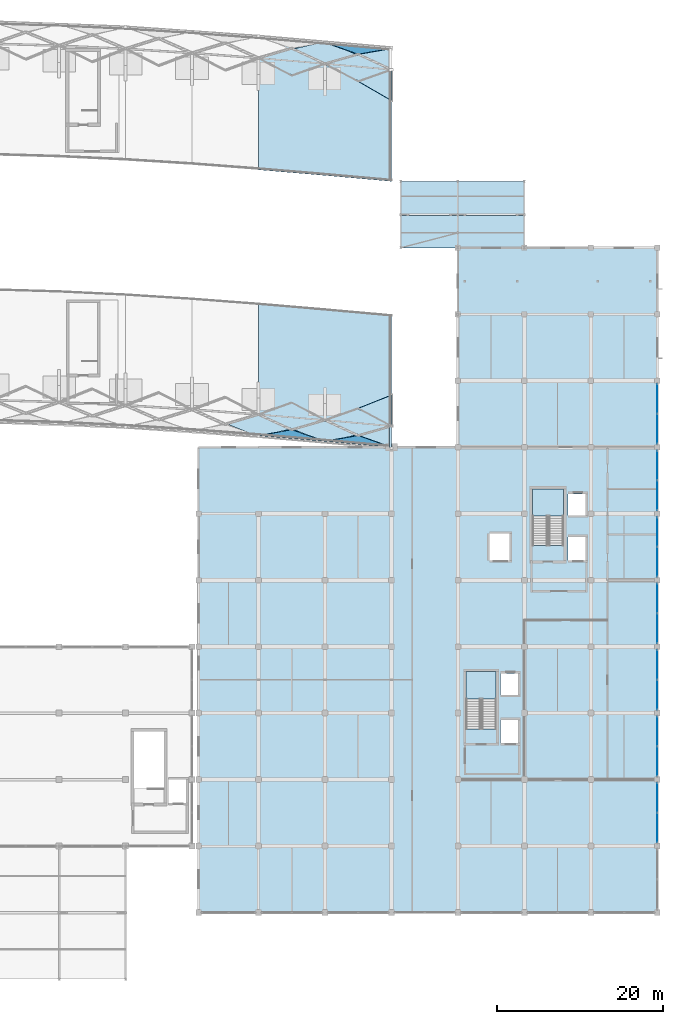
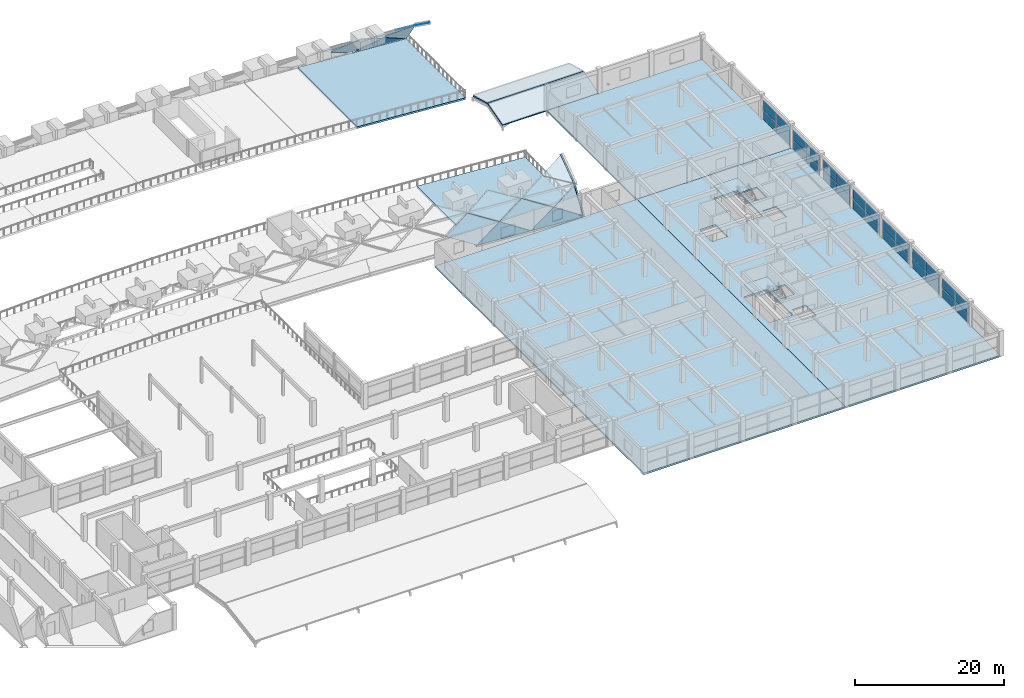
# One storey, part 38 of 67: 45 plates, 9 slabs, 9 elements without a shape of their own.
"""IFC4 building model written with IfcOpenShell, lengths in metres."""

from ifc_helpers import new_model, si_unit, direction, frame, origin, origin_2d, place, context, subcontext, project, spatial, polyline, rectangle, outline, extrude, material, layer, layer_set, type_object, element, aggregate, save


model = new_model("IFC4")

# Units and contexts
model_context = context("Model", 3, precision=1e-05, world=origin(), true_north=direction((0.0, 1.0)))
body_context = subcontext(model_context, "Body", "Model", "MODEL_VIEW")
ifc_project = project(units=[si_unit("LENGTHUNIT", "METRE"), si_unit("AREAUNIT", "SQUARE_METRE"), si_unit("VOLUMEUNIT", "CUBIC_METRE"), si_unit("PLANEANGLEUNIT", "RADIAN"), si_unit("MASSUNIT", "GRAM", prefix="KILO")], contexts=[model_context])

# Site, building, storey
site_placement = place(None, origin())
site = spatial("IfcSite", under=ifc_project, at=site_placement, CompositionType="ELEMENT")
building_placement = place(site_placement, origin())
building = spatial("IfcBuilding", under=site, at=building_placement, Name="Kenh Van Central Station", CompositionType="ELEMENT")
storey_placement = place(building_placement, frame((0.0, 0.0, 10.800048828125)))
storey = spatial("IfcBuildingStorey", under=building, at=storey_placement, Name="L02", CompositionType="ELEMENT", Elevation=10.800048828125)

# Curtain wall, plates
ifc_material_1 = material(Name="Champagne anodised aluminium", Category="aluminium")
curtain_wall_type = type_object("IfcCurtainWallType", Name="CW-OPER-A", PredefinedType="NOTDEFINED", material=ifc_material_1)
curtain_wall_1_placement = place(storey_placement, origin())
curtain_wall_1 = element("IfcCurtainWall", 1, at=curtain_wall_1_placement, inside=storey, type_object=curtain_wall_type, Name="L02 curtain wall 190", PredefinedType="NOTDEFINED")
ifc_material_2 = material(Name="Double-glazed low-E laminated solar glass", Category="glass")
ifc_layer_1 = layer(ifc_material_2, 0.0380859375, Name="Double-glazed low-E laminated solar glass")
ifc_layer_set_1 = layer_set([ifc_layer_1], Name="Double-glazed low-E laminated solar glass")
plate_type_1 = type_object("IfcPlateType", Name="CWP-IGU-38", PredefinedType="CURTAIN_PANEL", material=ifc_layer_set_1)
plate_1_placement = place(storey_placement, frame((176.0, 18.197021484375, 0.07177734375), z_axis=(0.0, 0.0, 1.0), x_axis=(0.0, 1.0, 0.0)))
plate_1 = element("IfcPlate", 2, at=plate_1_placement, type_object=plate_type_1, Name="CW-07 panel 1.1", PredefinedType="CURTAIN_PANEL", context=body_context, shape_type="SweptSolid", body=[
    extrude(rectangle(XDim=3.51806640625, YDim=0.0380859375, at=origin_2d()), origin(), (0.0, 0.0, 1.0), 1.490478515625),
])
plate_2_placement = place(storey_placement, frame((176.0, 18.197021484375, 1.63427734375), z_axis=(0.0, 0.0, 1.0), x_axis=(0.0, 1.0, 0.0)))
plate_2 = element("IfcPlate", 3, at=plate_2_placement, type_object=plate_type_1, Name="CW-07 panel 1.2", PredefinedType="CURTAIN_PANEL", context=body_context, shape_type="SweptSolid", body=[
    extrude(rectangle(XDim=3.51806640625, YDim=0.0380859375, at=origin_2d()), origin(), (0.0, 0.0, 1.0), 1.62353515625),
])
plate_3_placement = place(storey_placement, frame((176.0, 21.802978515625, 0.07177734375), z_axis=(0.0, 0.0, 1.0), x_axis=(0.0, 1.0, 0.0)))
plate_3 = element("IfcPlate", 4, at=plate_3_placement, type_object=plate_type_1, Name="CW-07 panel 2.1", PredefinedType="CURTAIN_PANEL", context=body_context, shape_type="SweptSolid", body=[
    extrude(rectangle(XDim=3.51806640625, YDim=0.0380859375, at=origin_2d()), origin(), (0.0, 0.0, 1.0), 1.490478515625),
])
plate_4_placement = place(storey_placement, frame((176.0, 21.802978515625, 1.63427734375), z_axis=(0.0, 0.0, 1.0), x_axis=(0.0, 1.0, 0.0)))
plate_4 = element("IfcPlate", 5, at=plate_4_placement, type_object=plate_type_1, Name="CW-07 panel 2.2", PredefinedType="CURTAIN_PANEL", context=body_context, shape_type="SweptSolid", body=[
    extrude(rectangle(XDim=3.51806640625, YDim=0.0380859375, at=origin_2d()), origin(), (0.0, 0.0, 1.0), 1.62353515625),
])
aggregate(curtain_wall_1, [plate_1, plate_2, plate_3, plate_4])

curtain_wall_2_placement = place(storey_placement, origin())
curtain_wall_2 = element("IfcCurtainWall", 6, at=curtain_wall_2_placement, inside=storey, type_object=curtain_wall_type, Name="L02 curtain wall 191", PredefinedType="NOTDEFINED")
plate_5_placement = place(storey_placement, frame((176.0, 26.197021484375, 0.07177734375), z_axis=(0.0, 0.0, 1.0), x_axis=(0.0, 1.0, 0.0)))
plate_5 = element("IfcPlate", 7, at=plate_5_placement, type_object=plate_type_1, Name="CW-07 panel 1.1", PredefinedType="CURTAIN_PANEL", context=body_context, shape_type="SweptSolid", body=[
    extrude(rectangle(XDim=3.51806640625, YDim=0.0380859375, at=origin_2d()), origin(), (0.0, 0.0, 1.0), 1.490478515625),
])
plate_6_placement = place(storey_placement, frame((176.0, 26.197021484375, 1.63427734375), z_axis=(0.0, 0.0, 1.0), x_axis=(0.0, 1.0, 0.0)))
plate_6 = element("IfcPlate", 8, at=plate_6_placement, type_object=plate_type_1, Name="CW-07 panel 1.2", PredefinedType="CURTAIN_PANEL", context=body_context, shape_type="SweptSolid", body=[
    extrude(rectangle(XDim=3.51806640625, YDim=0.0380859375, at=origin_2d()), origin(), (0.0, 0.0, 1.0), 1.62353515625),
])
plate_7_placement = place(storey_placement, frame((176.0, 29.802978515625, 0.07177734375), z_axis=(0.0, 0.0, 1.0), x_axis=(0.0, 1.0, 0.0)))
plate_7 = element("IfcPlate", 9, at=plate_7_placement, type_object=plate_type_1, Name="CW-07 panel 2.1", PredefinedType="CURTAIN_PANEL", context=body_context, shape_type="SweptSolid", body=[
    extrude(rectangle(XDim=3.51806640625, YDim=0.0380859375, at=origin_2d()), origin(), (0.0, 0.0, 1.0), 1.490478515625),
])
plate_8_placement = place(storey_placement, frame((176.0, 29.802978515625, 1.63427734375), z_axis=(0.0, 0.0, 1.0), x_axis=(0.0, 1.0, 0.0)))
plate_8 = element("IfcPlate", 10, at=plate_8_placement, type_object=plate_type_1, Name="CW-07 panel 2.2", PredefinedType="CURTAIN_PANEL", context=body_context, shape_type="SweptSolid", body=[
    extrude(rectangle(XDim=3.51806640625, YDim=0.0380859375, at=origin_2d()), origin(), (0.0, 0.0, 1.0), 1.62353515625),
])
aggregate(curtain_wall_2, [plate_5, plate_6, plate_7, plate_8])

curtain_wall_3_placement = place(storey_placement, origin())
curtain_wall_3 = element("IfcCurtainWall", 11, at=curtain_wall_3_placement, inside=storey, type_object=curtain_wall_type, Name="L02 curtain wall 192", PredefinedType="NOTDEFINED")
plate_9_placement = place(storey_placement, frame((176.0, 34.197021484375, 0.07177734375), z_axis=(0.0, 0.0, 1.0), x_axis=(0.0, 1.0, 0.0)))
plate_9 = element("IfcPlate", 12, at=plate_9_placement, type_object=plate_type_1, Name="CW-07 panel 1.1", PredefinedType="CURTAIN_PANEL", context=body_context, shape_type="SweptSolid", body=[
    extrude(rectangle(XDim=3.51806640625, YDim=0.0380859375, at=origin_2d()), origin(), (0.0, 0.0, 1.0), 1.490478515625),
])
plate_10_placement = place(storey_placement, frame((176.0, 34.197021484375, 1.63427734375), z_axis=(0.0, 0.0, 1.0), x_axis=(0.0, 1.0, 0.0)))
plate_10 = element("IfcPlate", 13, at=plate_10_placement, type_object=plate_type_1, Name="CW-07 panel 1.2", PredefinedType="CURTAIN_PANEL", context=body_context, shape_type="SweptSolid", body=[
    extrude(rectangle(XDim=3.51806640625, YDim=0.0380859375, at=origin_2d()), origin(), (0.0, 0.0, 1.0), 1.62353515625),
])
plate_11_placement = place(storey_placement, frame((176.0, 37.802978515625, 0.07177734375), z_axis=(0.0, 0.0, 1.0), x_axis=(0.0, 1.0, 0.0)))
plate_11 = element("IfcPlate", 14, at=plate_11_placement, type_object=plate_type_1, Name="CW-07 panel 2.1", PredefinedType="CURTAIN_PANEL", context=body_context, shape_type="SweptSolid", body=[
    extrude(rectangle(XDim=3.51806640625, YDim=0.0380859375, at=origin_2d()), origin(), (0.0, 0.0, 1.0), 1.490478515625),
])
plate_12_placement = place(storey_placement, frame((176.0, 37.802978515625, 1.63427734375), z_axis=(0.0, 0.0, 1.0), x_axis=(0.0, 1.0, 0.0)))
plate_12 = element("IfcPlate", 15, at=plate_12_placement, type_object=plate_type_1, Name="CW-07 panel 2.2", PredefinedType="CURTAIN_PANEL", context=body_context, shape_type="SweptSolid", body=[
    extrude(rectangle(XDim=3.51806640625, YDim=0.0380859375, at=origin_2d()), origin(), (0.0, 0.0, 1.0), 1.62353515625),
])
aggregate(curtain_wall_3, [plate_9, plate_10, plate_11, plate_12])

curtain_wall_4_placement = place(storey_placement, origin())
curtain_wall_4 = element("IfcCurtainWall", 16, at=curtain_wall_4_placement, inside=storey, type_object=curtain_wall_type, Name="L02 curtain wall 193", PredefinedType="NOTDEFINED")
plate_13_placement = place(storey_placement, frame((176.0, 42.197021484375, 0.07177734375), z_axis=(0.0, 0.0, 1.0), x_axis=(0.0, 1.0, 0.0)))
plate_13 = element("IfcPlate", 17, at=plate_13_placement, type_object=plate_type_1, Name="CW-07 panel 1.1", PredefinedType="CURTAIN_PANEL", context=body_context, shape_type="SweptSolid", body=[
    extrude(rectangle(XDim=3.51806640625, YDim=0.0380859375, at=origin_2d()), origin(), (0.0, 0.0, 1.0), 1.490478515625),
])
plate_14_placement = place(storey_placement, frame((176.0, 42.197021484375, 1.63427734375), z_axis=(0.0, 0.0, 1.0), x_axis=(0.0, 1.0, 0.0)))
plate_14 = element("IfcPlate", 18, at=plate_14_placement, type_object=plate_type_1, Name="CW-07 panel 1.2", PredefinedType="CURTAIN_PANEL", context=body_context, shape_type="SweptSolid", body=[
    extrude(rectangle(XDim=3.51806640625, YDim=0.0380859375, at=origin_2d()), origin(), (0.0, 0.0, 1.0), 1.62353515625),
])
plate_15_placement = place(storey_placement, frame((176.0, 45.802978515625, 0.07177734375), z_axis=(0.0, 0.0, 1.0), x_axis=(0.0, 1.0, 0.0)))
plate_15 = element("IfcPlate", 19, at=plate_15_placement, type_object=plate_type_1, Name="CW-07 panel 2.1", PredefinedType="CURTAIN_PANEL", context=body_context, shape_type="SweptSolid", body=[
    extrude(rectangle(XDim=3.51806640625, YDim=0.0380859375, at=origin_2d()), origin(), (0.0, 0.0, 1.0), 1.490478515625),
])
plate_16_placement = place(storey_placement, frame((176.0, 45.802978515625, 1.63427734375), z_axis=(0.0, 0.0, 1.0), x_axis=(0.0, 1.0, 0.0)))
plate_16 = element("IfcPlate", 20, at=plate_16_placement, type_object=plate_type_1, Name="CW-07 panel 2.2", PredefinedType="CURTAIN_PANEL", context=body_context, shape_type="SweptSolid", body=[
    extrude(rectangle(XDim=3.51806640625, YDim=0.0380859375, at=origin_2d()), origin(), (0.0, 0.0, 1.0), 1.62353515625),
])
aggregate(curtain_wall_4, [plate_13, plate_14, plate_15, plate_16])

curtain_wall_5_placement = place(storey_placement, origin())
curtain_wall_5 = element("IfcCurtainWall", 21, at=curtain_wall_5_placement, inside=storey, type_object=curtain_wall_type, Name="L02 curtain wall 194", PredefinedType="NOTDEFINED")
plate_17_placement = place(storey_placement, frame((176.0, 50.197021484375, 0.07177734375), z_axis=(0.0, 0.0, 1.0), x_axis=(0.0, 1.0, 0.0)))
plate_17 = element("IfcPlate", 22, at=plate_17_placement, type_object=plate_type_1, Name="CW-07 panel 1.1", PredefinedType="CURTAIN_PANEL", context=body_context, shape_type="SweptSolid", body=[
    extrude(rectangle(XDim=3.51806640625, YDim=0.0380859375, at=origin_2d()), origin(), (0.0, 0.0, 1.0), 1.490478515625),
])
plate_18_placement = place(storey_placement, frame((176.0, 50.197021484375, 1.63427734375), z_axis=(0.0, 0.0, 1.0), x_axis=(0.0, 1.0, 0.0)))
plate_18 = element("IfcPlate", 23, at=plate_18_placement, type_object=plate_type_1, Name="CW-07 panel 1.2", PredefinedType="CURTAIN_PANEL", context=body_context, shape_type="SweptSolid", body=[
    extrude(rectangle(XDim=3.51806640625, YDim=0.0380859375, at=origin_2d()), origin(), (0.0, 0.0, 1.0), 1.62353515625),
])
plate_19_placement = place(storey_placement, frame((176.0, 53.802978515625, 0.07177734375), z_axis=(0.0, 0.0, 1.0), x_axis=(0.0, 1.0, 0.0)))
plate_19 = element("IfcPlate", 24, at=plate_19_placement, type_object=plate_type_1, Name="CW-07 panel 2.1", PredefinedType="CURTAIN_PANEL", context=body_context, shape_type="SweptSolid", body=[
    extrude(rectangle(XDim=3.51806640625, YDim=0.0380859375, at=origin_2d()), origin(), (0.0, 0.0, 1.0), 1.490478515625),
])
plate_20_placement = place(storey_placement, frame((176.0, 53.802978515625, 1.63427734375), z_axis=(0.0, 0.0, 1.0), x_axis=(0.0, 1.0, 0.0)))
plate_20 = element("IfcPlate", 25, at=plate_20_placement, type_object=plate_type_1, Name="CW-07 panel 2.2", PredefinedType="CURTAIN_PANEL", context=body_context, shape_type="SweptSolid", body=[
    extrude(rectangle(XDim=3.51806640625, YDim=0.0380859375, at=origin_2d()), origin(), (0.0, 0.0, 1.0), 1.62353515625),
])
aggregate(curtain_wall_5, [plate_17, plate_18, plate_19, plate_20])

curtain_wall_6_placement = place(storey_placement, origin())
curtain_wall_6 = element("IfcCurtainWall", 26, at=curtain_wall_6_placement, inside=storey, type_object=curtain_wall_type, Name="L02 curtain wall 195", PredefinedType="NOTDEFINED")
plate_21_placement = place(storey_placement, frame((176.0, 58.197021484375, 0.07177734375), z_axis=(0.0, 0.0, 1.0), x_axis=(0.0, 1.0, 0.0)))
plate_21 = element("IfcPlate", 27, at=plate_21_placement, type_object=plate_type_1, Name="CW-07 panel 1.1", PredefinedType="CURTAIN_PANEL", context=body_context, shape_type="SweptSolid", body=[
    extrude(rectangle(XDim=3.51806640625, YDim=0.0380859375, at=origin_2d()), origin(), (0.0, 0.0, 1.0), 1.490478515625),
])
plate_22_placement = place(storey_placement, frame((176.0, 58.197021484375, 1.63427734375), z_axis=(0.0, 0.0, 1.0), x_axis=(0.0, 1.0, 0.0)))
plate_22 = element("IfcPlate", 28, at=plate_22_placement, type_object=plate_type_1, Name="CW-07 panel 1.2", PredefinedType="CURTAIN_PANEL", context=body_context, shape_type="SweptSolid", body=[
    extrude(rectangle(XDim=3.51806640625, YDim=0.0380859375, at=origin_2d()), origin(), (0.0, 0.0, 1.0), 1.62353515625),
])
plate_23_placement = place(storey_placement, frame((176.0, 61.802978515625, 0.07177734375), z_axis=(0.0, 0.0, 1.0), x_axis=(0.0, 1.0, 0.0)))
plate_23 = element("IfcPlate", 29, at=plate_23_placement, type_object=plate_type_1, Name="CW-07 panel 2.1", PredefinedType="CURTAIN_PANEL", context=body_context, shape_type="SweptSolid", body=[
    extrude(rectangle(XDim=3.51806640625, YDim=0.0380859375, at=origin_2d()), origin(), (0.0, 0.0, 1.0), 1.490478515625),
])
plate_24_placement = place(storey_placement, frame((176.0, 61.802978515625, 1.63427734375), z_axis=(0.0, 0.0, 1.0), x_axis=(0.0, 1.0, 0.0)))
plate_24 = element("IfcPlate", 30, at=plate_24_placement, type_object=plate_type_1, Name="CW-07 panel 2.2", PredefinedType="CURTAIN_PANEL", context=body_context, shape_type="SweptSolid", body=[
    extrude(rectangle(XDim=3.51806640625, YDim=0.0380859375, at=origin_2d()), origin(), (0.0, 0.0, 1.0), 1.62353515625),
])
aggregate(curtain_wall_6, [plate_21, plate_22, plate_23, plate_24])

curtain_wall_7_placement = place(storey_placement, origin())
curtain_wall_7 = element("IfcCurtainWall", 31, at=curtain_wall_7_placement, inside=storey, type_object=curtain_wall_type, Name="L02 curtain wall 196", PredefinedType="NOTDEFINED")
plate_25_placement = place(storey_placement, frame((176.0, 66.203369140625, 0.07177734375), z_axis=(0.0, 0.0, 1.0), x_axis=(0.0, 1.0, 0.0)))
plate_25 = element("IfcPlate", 32, at=plate_25_placement, type_object=plate_type_1, Name="CW-07 panel 1.1", PredefinedType="CURTAIN_PANEL", context=body_context, shape_type="SweptSolid", body=[
    extrude(rectangle(XDim=3.530517578125, YDim=0.0380859375, at=origin_2d()), origin(), (0.0, 0.0, 1.0), 1.490478515625),
])
plate_26_placement = place(storey_placement, frame((176.0, 66.203369140625, 1.63427734375), z_axis=(0.0, 0.0, 1.0), x_axis=(0.0, 1.0, 0.0)))
plate_26 = element("IfcPlate", 33, at=plate_26_placement, type_object=plate_type_1, Name="CW-07 panel 1.2", PredefinedType="CURTAIN_PANEL", context=body_context, shape_type="SweptSolid", body=[
    extrude(rectangle(XDim=3.530517578125, YDim=0.0380859375, at=origin_2d()), origin(), (0.0, 0.0, 1.0), 1.62353515625),
])
plate_27_placement = place(storey_placement, frame((176.0, 69.82177734375, 0.07177734375), z_axis=(0.0, 0.0, 1.0), x_axis=(0.0, 1.0, 0.0)))
plate_27 = element("IfcPlate", 34, at=plate_27_placement, type_object=plate_type_1, Name="CW-07 panel 2.1", PredefinedType="CURTAIN_PANEL", context=body_context, shape_type="SweptSolid", body=[
    extrude(rectangle(XDim=3.530517578125, YDim=0.0380859375, at=origin_2d()), origin(), (0.0, 0.0, 1.0), 1.490478515625),
])
plate_28_placement = place(storey_placement, frame((176.0, 69.82177734375, 1.63427734375), z_axis=(0.0, 0.0, 1.0), x_axis=(0.0, 1.0, 0.0)))
plate_28 = element("IfcPlate", 35, at=plate_28_placement, type_object=plate_type_1, Name="CW-07 panel 2.2", PredefinedType="CURTAIN_PANEL", context=body_context, shape_type="SweptSolid", body=[
    extrude(rectangle(XDim=3.530517578125, YDim=0.0380859375, at=origin_2d()), origin(), (0.0, 0.0, 1.0), 1.62353515625),
])
aggregate(curtain_wall_7, [plate_25, plate_26, plate_27, plate_28])

# Plates
ifc_material_3 = material(Name="White fluoropolymer structural steel S355", Category="steel")
ifc_layer_2 = layer(ifc_material_3, 0.010009765625, Name="White fluoropolymer structural steel S355")
ifc_layer_set_2 = layer_set([ifc_layer_2], Name="White fluoropolymer structural steel S355")
plate_type_2 = type_object("IfcPlateType", Name="PLT-FASCIA-SH2", PredefinedType="SHEET", material=ifc_layer_set_2)
plate_29_placement = place(storey_placement, frame((144.0, 64.0, 0.0), z_axis=(0.0, -0.827486468336, 0.561485658518), x_axis=(-1.0, 0.0, 0.0)))
element("IfcPlate", 36, at=plate_29_placement, inside=storey, type_object=plate_type_2, Name="Vault portal arch trim plate 13", PredefinedType="SHEET", context=body_context, shape_type="SweptSolid", body=[
    extrude(outline(polyline([(0.0, 0.0), (0.260009765625, 0.0), (0.260009765625, -4.54595802341831), (0.0, -4.54595802341831), (0.0, 0.0)])), origin(), (0.0, 0.0, -1.0), 0.010009765625),
])
ifc_layer_3 = layer(ifc_material_3, 0.011962890625, Name="White fluoropolymer structural steel S355")
ifc_layer_set_3 = layer_set([ifc_layer_3], Name="White fluoropolymer structural steel S355")
plate_type_3 = type_object("IfcPlateType", Name="PLT-FASCIA-SH3", PredefinedType="SHEET", material=ifc_layer_set_3)
for number, where, z_axis, x_axis, name in (
    (37, (144.0, 66.552490234375, 3.76171875), (0.0, -0.58293315188, 0.812520116944), (-1.0, 0.0, 0.0), "Vault portal arch trim plate 14"),
    (38, (144.0, 105.73046875, 6.428466796875), (0.0, 0.58293315188, 0.812520116944), (-1.0, 0.0, 0.0), "Vault portal arch trim plate 23"),
):
    element("IfcPlate", number, at=place(storey_placement, frame(where, z_axis=z_axis, x_axis=x_axis)), inside=storey, type_object=plate_type_3, Name=name, PredefinedType="SHEET", context=body_context, shape_type="SweptSolid", body=[
        extrude(outline(polyline([(0.0, 0.0), (0.260009765625, 0.0), (0.260009765625, -4.574706444937222), (0.0, -4.574706444937222), (0.0, 0.0)])), origin(), (0.0, 0.0, -1.0), 0.011962890625),
    ])
ifc_layer_4 = layer(ifc_material_2, 0.02490234375, Name="Double-glazed low-E laminated solar glass")
ifc_layer_set_4 = layer_set([ifc_layer_4], Name="Double-glazed low-E laminated solar glass")
plate_type_4 = type_object("IfcPlateType", Name="PLT-VAULT-GLZ2", PredefinedType="SHEET", material=ifc_layer_set_4)
plate_30_placement = place(storey_placement, frame((124.02099609375, 66.869873046875, 1.9521484375), z_axis=(-0.066763144029, -0.825557139945, 0.560355325919), x_axis=(0.851027051408, -0.340289602676, -0.399944926311)))
element("IfcPlate", 39, at=plate_30_placement, inside=storey, type_object=plate_type_4, Name="Vault planar diamond skylight pane 216", PredefinedType="SHEET", context=body_context, shape_type="SweptSolid", body=[
    extrude(outline(polyline([(0.0, 0.0), (4.664915284770098, 2.220446049250313e-16), (7.0068892787584725, 3.8648005960070413), (2.3043565829263795, 3.856885646130145), (0.0, 0.0)])), origin(), (0.0, 0.0, -1.0), 0.02490234375),
])
plate_31_placement = place(storey_placement, frame((132.002685546875, 111.89306640625, 1.955810546875), z_axis=(0.072217389507, 0.825393790341, 0.559919404486), x_axis=(0.850976173617, -0.343796596055, 0.397043388658)))
element("IfcPlate", 40, at=plate_31_placement, inside=storey, type_object=plate_type_4, Name="Vault planar diamond skylight pane 243", PredefinedType="SHEET", context=body_context, shape_type="SweptSolid", body=[
    extrude(outline(polyline([(0.0, 0.0), (4.70822818457736, -2.220446049250313e-16), (7.02684897559647, 3.837157674743521), (2.3496642033432718, 3.858173440332048), (0.0, 0.0)])), origin(), (0.0, 0.0, -1.0), 0.02490234375),
])
plate_32_placement = place(storey_placement, frame((136.005859375, 110.09130859375, 3.692626953125), z_axis=(0.062080915883, 0.696724699203, 0.714647223043), x_axis=(0.844558377569, -0.418228742505, 0.334373841413)))
element("IfcPlate", 41, at=plate_32_placement, inside=storey, type_object=plate_type_4, Name="Vault planar diamond skylight pane 253", PredefinedType="SHEET", context=body_context, shape_type="SweptSolid", body=[
    extrude(outline(polyline([(0.0, 0.0), (4.736494175389192, -2.220446049250313e-16), (7.033308950687296, 3.8281932160247005), (2.316699168165327, 3.8425278719561926), (0.0, 0.0)])), origin(), (0.0, 0.0, -1.0), 0.02490234375),
])
plate_33_placement = place(storey_placement, frame((143.994140625, 64.005859375, 0.008544921875), z_axis=(-0.007713839822, -0.82749167025, 0.561425001529), x_axis=(-5.3948501e-05, 0.561442049166, 0.827516055746)))
element("IfcPlate", 42, at=plate_33_placement, inside=storey, type_object=plate_type_4, Name="Vault border triangle skylight pane 255", PredefinedType="SHEET", context=body_context, shape_type="SweptSolid", body=[
    extrude(outline(polyline([(0.0, 0.0), (4.525438534841527, 0.0), (2.4618246329661577, 3.982163406165373), (0.0, 0.0)])), origin(), (0.0, 0.0, -1.0), 0.02490234375),
])
ifc_layer_5 = layer(ifc_material_2, 0.027099609375, Name="Double-glazed low-E laminated solar glass")
ifc_layer_set_5 = layer_set([ifc_layer_5], Name="Double-glazed low-E laminated solar glass")
plate_type_5 = type_object("IfcPlateType", Name="PLT-VAULT-GLZ3", PredefinedType="SHEET", material=ifc_layer_set_5)
plate_34_placement = place(storey_placement, frame((128.01171875, 65.388427734375, 0.001953125), z_axis=(-0.074682622097, -0.883428902659, 0.462575269447), x_axis=(0.996445768394, -0.08423675356, 0.0)))
element("IfcPlate", 43, at=plate_34_placement, inside=storey, type_object=plate_type_5, Name="Vault border triangle skylight pane 298", PredefinedType="SHEET", context=body_context, shape_type="SweptSolid", body=[
    extrude(outline(polyline([(0.0, 0.0), (8.005014174387462, 0.0), (3.9135813737190577, 2.2740342110816334), (0.0, 0.0)])), origin(), (0.0, 0.0, -1.0), 0.027099609375),
])
ifc_layer_6 = layer(ifc_material_2, 0.029052734375, Name="Double-glazed low-E laminated solar glass")
ifc_layer_set_6 = layer_set([ifc_layer_6], Name="Double-glazed low-E laminated solar glass")
plate_type_6 = type_object("IfcPlateType", Name="PLT-VAULT-GLZ4", PredefinedType="SHEET", material=ifc_layer_set_6)
plate_35_placement = place(storey_placement, frame((128.017822265625, 68.009765625, 3.68994140625), z_axis=(-0.058995640367, -0.696800977719, 0.714834184876), x_axis=(0.844927074076, -0.416200786123, -0.335968964525)))
element("IfcPlate", 44, at=plate_35_placement, inside=storey, type_object=plate_type_6, Name="Vault planar diamond skylight pane 226", PredefinedType="SHEET", context=body_context, shape_type="SweptSolid", body=[
    extrude(outline(polyline([(0.0, 0.0), (4.706113568555715, -1.1102230246251565e-16), (7.019891246331294, 3.84632921593826), (2.287836386718679, 3.8434884845234087), (0.0, 0.0)])), origin(), (0.0, 0.0, -1.0), 0.029052734375),
])
plate_36_placement = place(storey_placement, frame((132.021728515625, 66.22265625, 1.953125), z_axis=(-0.07222475454, -0.825307172716, 0.560046119079), x_axis=(0.849072324023, -0.345494581861, -0.399636938336)))
element("IfcPlate", 45, at=plate_36_placement, inside=storey, type_object=plate_type_6, Name="Vault planar diamond skylight pane 236", PredefinedType="SHEET", context=body_context, shape_type="SweptSolid", body=[
    extrude(outline(polyline([(0.0, 0.0), (4.673924318025916, 4.440892098500626e-16), (7.01295701547588, 3.8629929137496615), (2.3015780543594677, 3.8495616227530505), (0.0, 0.0)])), origin(), (0.0, 0.0, -1.0), 0.029052734375),
])
plate_37_placement = place(storey_placement, frame((143.994140625, 66.56103515625, 3.767822265625), z_axis=(-0.015140538407, -0.582885461561, 0.81241325863), x_axis=(-0.000107219231, 0.812507333563, 0.582950959696)))
element("IfcPlate", 46, at=plate_37_placement, inside=storey, type_object=plate_type_6, Name="Vault border triangle skylight pane 257", PredefinedType="SHEET", context=body_context, shape_type="SweptSolid", body=[
    extrude(outline(polyline([(0.0, 0.0), (4.554045433997216, -6.938893903907228e-18), (2.567119346016719, 3.982358988697246), (0.0, 0.0)])), origin(), (0.0, 0.0, -1.0), 0.029052734375),
])
plate_38_placement = place(storey_placement, frame((143.994140625, 105.7392578125, 6.4228515625), z_axis=(0.088951634368, 0.580587320099, 0.80932439138), x_axis=(-0.000107217911, 0.812550941304, -0.582890175153)))
element("IfcPlate", 47, at=plate_38_placement, inside=storey, type_object=plate_type_6, Name="Vault border triangle skylight pane 275", PredefinedType="SHEET", context=body_context, shape_type="SweptSolid", body=[
    extrude(outline(polyline([(0.0, 0.0), (4.554101490777081, 2.7755575615628914e-17), (2.5681695852995854, 3.9977496972992066), (0.0, 0.0)])), origin(), (0.0, 0.0, -1.0), 0.029052734375),
])
ifc_layer_7 = layer(ifc_material_2, 0.031005859375, Name="Double-glazed low-E laminated solar glass")
ifc_layer_set_7 = layer_set([ifc_layer_7], Name="Double-glazed low-E laminated solar glass")
plate_type_7 = type_object("IfcPlateType", Name="PLT-VAULT-GLZ5", PredefinedType="SHEET", material=ifc_layer_set_7)
plate_39_placement = place(storey_placement, frame((136.01171875, 64.712158203125, 0.001953125), z_axis=(-0.078705331984, -0.883967207482, 0.460876823906), x_axis=(0.9960596646, -0.08868565023, 0.0)))
element("IfcPlate", 48, at=plate_39_placement, inside=storey, type_object=plate_type_7, Name="Vault border triangle skylight pane 300", PredefinedType="SHEET", context=body_context, shape_type="SweptSolid", body=[
    extrude(outline(polyline([(0.0, 0.0), (8.008117167561974, 0.0), (3.9108368877199027, 2.2717687960819193), (0.0, 0.0)])), origin(), (0.0, 0.0, -1.0), 0.031005859375),
])
ifc_layer_8 = layer(ifc_material_2, 0.034912109375, Name="Double-glazed low-E laminated solar glass")
ifc_layer_set_8 = layer_set([ifc_layer_8], Name="Double-glazed low-E laminated solar glass")
plate_type_8 = type_object("IfcPlateType", Name="PLT-VAULT-GLZ6", PredefinedType="SHEET", material=ifc_layer_set_8)
plate_40_placement = place(storey_placement, frame((128.00634765625, 110.7685546875, 3.69384765625), z_axis=(0.058985798948, 0.696936897091, 0.714702481453), x_axis=(0.84615753036, -0.414776385436, 0.334631116157)))
element("IfcPlate", 49, at=plate_40_placement, inside=storey, type_object=plate_type_8, Name="Vault planar diamond skylight pane 235", PredefinedType="SHEET", context=body_context, shape_type="SweptSolid", body=[
    extrude(outline(polyline([(0.0, 0.0), (4.726391906820278, 8.881784197001252e-16), (7.028643654194485, 3.8302689847031512), (2.317127406879477, 3.848927869663578), (0.0, 0.0)])), origin(), (0.0, 0.0, -1.0), 0.034912109375),
])
plate_41_placement = place(storey_placement, frame((136.01806640625, 67.332275390625, 3.691162109375), z_axis=(-0.062102706256, -0.696723752884, 0.714646252381), x_axis=(0.843267444804, -0.41965100521, -0.335846766189)))
element("IfcPlate", 50, at=plate_41_placement, inside=storey, type_object=plate_type_8, Name="Vault planar diamond skylight pane 244", PredefinedType="SHEET", context=body_context, shape_type="SweptSolid", body=[
    extrude(outline(polyline([(0.0, 0.0), (4.7147861841699985, 0.0), (7.023940467134329, 3.8453554566518653), (2.2856976832947717, 3.8366596641690114), (0.0, 0.0)])), origin(), (0.0, 0.0, -1.0), 0.034912109375),
])
plate_42_placement = place(storey_placement, frame((143.994140625, 109.4541015625, 3.753662109375), z_axis=(0.139164599112, 0.819451090659, 0.555997413997), x_axis=(-5.3950909e-05, 0.561467114625, -0.827499049113)))
element("IfcPlate", 51, at=plate_42_placement, inside=storey, type_object=plate_type_8, Name="Vault border triangle skylight pane 277", PredefinedType="SHEET", context=body_context, shape_type="SweptSolid", body=[
    extrude(outline(polyline([(0.0, 0.0), (4.5252365066304385, -5.551115123125783e-17), (2.464920531130159, 4.021173737393696), (0.0, 0.0)])), origin(), (0.0, 0.0, -1.0), 0.034912109375),
])
plate_43_placement = place(storey_placement, frame((136.01171875, 112.7099609375, 0.001953125), z_axis=(0.078750195891, 0.884775240765, 0.459315991422), x_axis=(0.851551415357, -0.299262773969, 0.430467163811)))
element("IfcPlate", 52, at=plate_43_placement, inside=storey, type_object=plate_type_8, Name="Vault border triangle skylight pane 301", PredefinedType="SHEET", context=body_context, shape_type="SweptSolid", body=[
    extrude(outline(polyline([(0.0, 0.0), (4.68354720346262, 0.0), (7.004917966124906, 3.8808141075092264), (0.0, 0.0)])), origin(), (0.0, 0.0, -1.0), 0.034912109375),
])

# Slabs
ifc_material_4 = material(Name="Concrete C35/45", Category="concrete")
ifc_layer_9 = layer(ifc_material_4, 0.260009765625, Name="Concrete C35/45")
ifc_layer_set_9 = layer_set([ifc_layer_9], Name="Concrete C35/45")
slab_type_1 = type_object("IfcSlabType", Name="SLB-FLR-260", PredefinedType="FLOOR", material=ifc_layer_set_9)
slab_1_placement = place(storey_placement, frame((0.0, 0.0, -0.260009765625)))
element("IfcSlab", 53, at=slab_1_placement, inside=storey, type_object=slab_type_1, Name="L02 slab SLB-L02-EA", PredefinedType="FLOOR", context=body_context, shape_type="SweptSolid", body=[
    extrude(outline(polyline([(120.800048828125, 8.0), (152.0, 8.0), (152.0, 64.0), (120.800048828125, 64.0), (120.800048828125, 8.0)])), origin(), (0.0, 0.0, 1.0), 0.260009765625),
])
slab_2_placement = place(storey_placement, frame((0.0, 0.0, -0.260009765625)))
element("IfcSlab", 54, at=slab_2_placement, inside=storey, type_object=slab_type_1, Name="L02 slab SLB-L02-EB", PredefinedType="FLOOR", context=body_context, shape_type="SweptSolid", body=[
    extrude(outline(polyline([(152.0, 8.0), (176.0, 8.0), (176.0, 64.0), (152.0, 64.0), (152.0, 8.0)]), holes=[polyline([(167.35009765625, 50.39990234375), (165.25, 50.39990234375), (165.25, 53.199951171875), (167.35009765625, 53.199951171875), (167.35009765625, 50.39990234375)]), polyline([(167.35009765625, 55.800048828125), (165.25, 55.800048828125), (165.25, 58.39990234375), (167.35009765625, 58.39990234375), (167.35009765625, 55.800048828125)]), polyline([(161.0, 52.1650390625), (161.0, 59.0), (164.699951171875, 59.0), (164.699951171875, 52.1650390625), (161.0, 52.1650390625)]), polyline([(159.25, 28.39990234375), (157.14990234375, 28.39990234375), (157.14990234375, 31.199951171875), (159.25, 31.199951171875), (159.25, 28.39990234375)]), polyline([(157.14990234375, 34.199951171875), (157.14990234375, 36.800048828125), (159.25, 36.800048828125), (159.25, 34.199951171875), (157.14990234375, 34.199951171875)]), polyline([(155.800048828125, 50.39990234375), (155.800048828125, 53.60009765625), (158.199951171875, 53.60009765625), (158.199951171875, 50.39990234375), (155.800048828125, 50.39990234375)]), polyline([(153.0, 30.114990234375), (153.0, 37.0), (156.60009765625, 37.0), (156.60009765625, 30.114990234375), (153.0, 30.114990234375)])]), origin(), (0.0, 0.0, 1.0), 0.260009765625),
])
slab_3_placement = place(storey_placement, frame((0.0, 0.0, -0.260009765625)))
element("IfcSlab", 55, at=slab_3_placement, inside=storey, type_object=slab_type_1, Name="L02 slab SLB-L02-EC", PredefinedType="FLOOR", context=body_context, shape_type="SweptSolid", body=[
    extrude(outline(polyline([(152.0, 64.0), (176.0, 64.0), (176.0, 88.0), (152.0, 88.0), (152.0, 64.0)])), origin(), (0.0, 0.0, 1.0), 0.260009765625),
])
ifc_material_5 = material(Name="Concrete C40/50", Category="concrete")
ifc_layer_10 = layer(ifc_material_5, 0.2900390625, Name="Concrete C40/50")
ifc_layer_set_10 = layer_set([ifc_layer_10], Name="Concrete C40/50")
slab_type_2 = type_object("IfcSlabType", Name="SLB-FLR-290", PredefinedType="FLOOR", material=ifc_layer_set_10)
slab_4_placement = place(storey_placement, frame((0.0, 0.0, -0.2900390625)))
element("IfcSlab", 56, at=slab_4_placement, inside=storey, type_object=slab_type_2, Name="L02 slab SLB-L02-PN7", PredefinedType="FLOOR", context=body_context, shape_type="SweptSolid", body=[
    extrude(outline(polyline([(128.0, 97.388427734375), (136.0, 96.712158203125), (144.0, 96.0), (144.0, 112.0), (136.0, 112.712158203125), (128.0, 113.388427734375), (128.0, 97.388427734375)])), origin(), (0.0, 0.0, 1.0), 0.2900390625),
])
ifc_layer_11 = layer(ifc_material_5, 0.320068359375, Name="Concrete C40/50")
ifc_layer_set_11 = layer_set([ifc_layer_11], Name="Concrete C40/50")
slab_type_3 = type_object("IfcSlabType", Name="SLB-FLR-320", PredefinedType="FLOOR", material=ifc_layer_set_11)
slab_5_placement = place(storey_placement, frame((0.0, 0.0, -0.320068359375)))
element("IfcSlab", 57, at=slab_5_placement, inside=storey, type_object=slab_type_3, Name="L02 slab SLB-L02-PS7", PredefinedType="FLOOR", context=body_context, shape_type="SweptSolid", body=[
    extrude(outline(polyline([(128.0, 65.388427734375), (136.0, 64.712158203125), (144.0, 64.0), (144.0, 80.0), (136.0, 80.712158203125), (128.0, 81.388427734375), (128.0, 65.388427734375)])), origin(), (0.0, 0.0, 1.0), 0.320068359375),
])

# Stair, slab
stair_type_1 = type_object("IfcStairType", Name="STR-DLG-1700", PredefinedType="HALF_TURN_STAIR", material=ifc_material_4)
stair_1_placement = place(storey_placement, origin())
stair_1 = element("IfcStair", 58, at=stair_1_placement, inside=storey, type_object=stair_type_1, Name="L02 Operations South Firefighting Core", PredefinedType="HALF_TURN_STAIR")
ifc_layer_12 = layer(ifc_material_4, 0.199951171875, Name="Concrete C35/45")
ifc_layer_set_12 = layer_set([ifc_layer_12], Name="Concrete C35/45")
slab_type_4 = type_object("IfcSlabType", Name="SLB-LAND-200", PredefinedType="LANDING", material=ifc_layer_set_12)
slab_6_placement = place(storey_placement, frame((0.0, 0.0, 1.89990234375)))
slab_6 = element("IfcSlab", 59, at=slab_6_placement, type_object=slab_type_4, Name="ST-09 landing 1", PredefinedType="LANDING", context=body_context, shape_type="SweptSolid", body=[
    extrude(outline(polyline([(156.60009765625, 33.699951171875), (156.60009765625, 37.0), (153.0, 37.0), (153.0, 33.699951171875), (156.60009765625, 33.699951171875)])), origin(), (0.0, 0.0, 1.0), 0.199951171875),
])
aggregate(stair_1, [slab_6])

stair_type_2 = type_object("IfcStairType", Name="STR-DLG-1750", PredefinedType="HALF_TURN_STAIR", material=ifc_material_4)
stair_2_placement = place(storey_placement, origin())
stair_2 = element("IfcStair", 60, at=stair_2_placement, inside=storey, type_object=stair_type_2, Name="L02 Operations North Firefighting and Goods Core", PredefinedType="HALF_TURN_STAIR")
slab_7_placement = place(storey_placement, frame((0.0, 0.0, 1.89990234375)))
slab_7 = element("IfcSlab", 61, at=slab_7_placement, type_object=slab_type_4, Name="ST-10 landing 1", PredefinedType="LANDING", context=body_context, shape_type="SweptSolid", body=[
    extrude(outline(polyline([(164.699951171875, 55.75), (164.699951171875, 59.0), (161.0, 59.0), (161.0, 55.75), (164.699951171875, 55.75)])), origin(), (0.0, 0.0, 1.0), 0.199951171875),
])
aggregate(stair_2, [slab_7])

# Slabs
ifc_layer_13 = layer(ifc_material_4, 0.18994140625, Name="Concrete C35/45")
ifc_layer_set_13 = layer_set([ifc_layer_13], Name="Concrete C35/45")
slab_type_5 = type_object("IfcSlabType", Name="SLB-ROOF-190", PredefinedType="ROOF", material=ifc_layer_set_13)
for number, where, z_axis, x_axis, name in (
    (62, (145.10009765625, 88.0, 0.0), (0.0, -0.271432974684, 0.962457344641), (1.0, 0.0, 0.0), "L02 sloped roof RF-OPS1B-A"),
    (63, (145.10009765625, 92.10009765625, 1.099853515625), (0.0, 0.271432974684, 0.962457344641), (1.0, 0.0, 0.0), "L02 sloped roof RF-OPS1B-B"),
):
    element("IfcSlab", number, at=place(storey_placement, frame(where, z_axis=z_axis, x_axis=x_axis)), inside=storey, type_object=slab_type_5, Name=name, PredefinedType="ROOF", context=body_context, shape_type="SweptSolid", body=[
        extrude(outline(polyline([(0.0, 0.0), (14.89990234375, 0.0), (14.89990234375, 4.052026165589187), (0.0, 4.052026165589187), (0.0, 0.0)])), origin(), (0.0, 0.0, -1.0), 0.18994140625),
    ])

save(model, "model.ifc")
